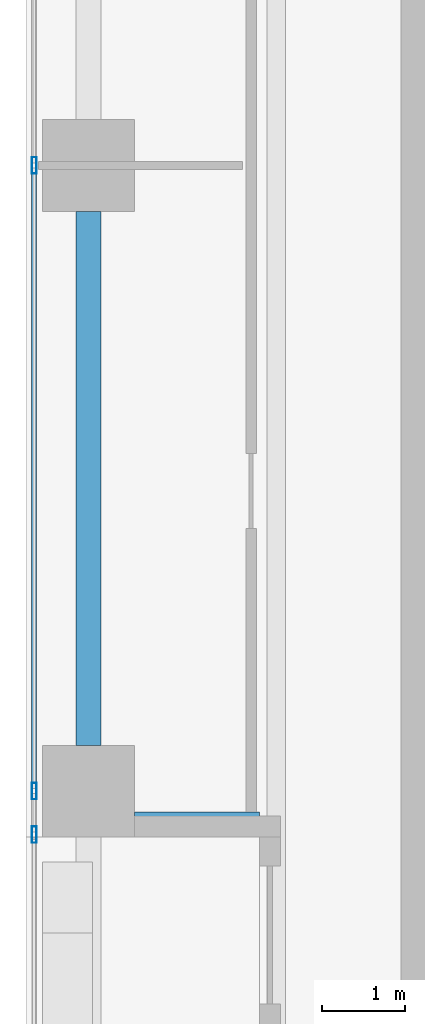
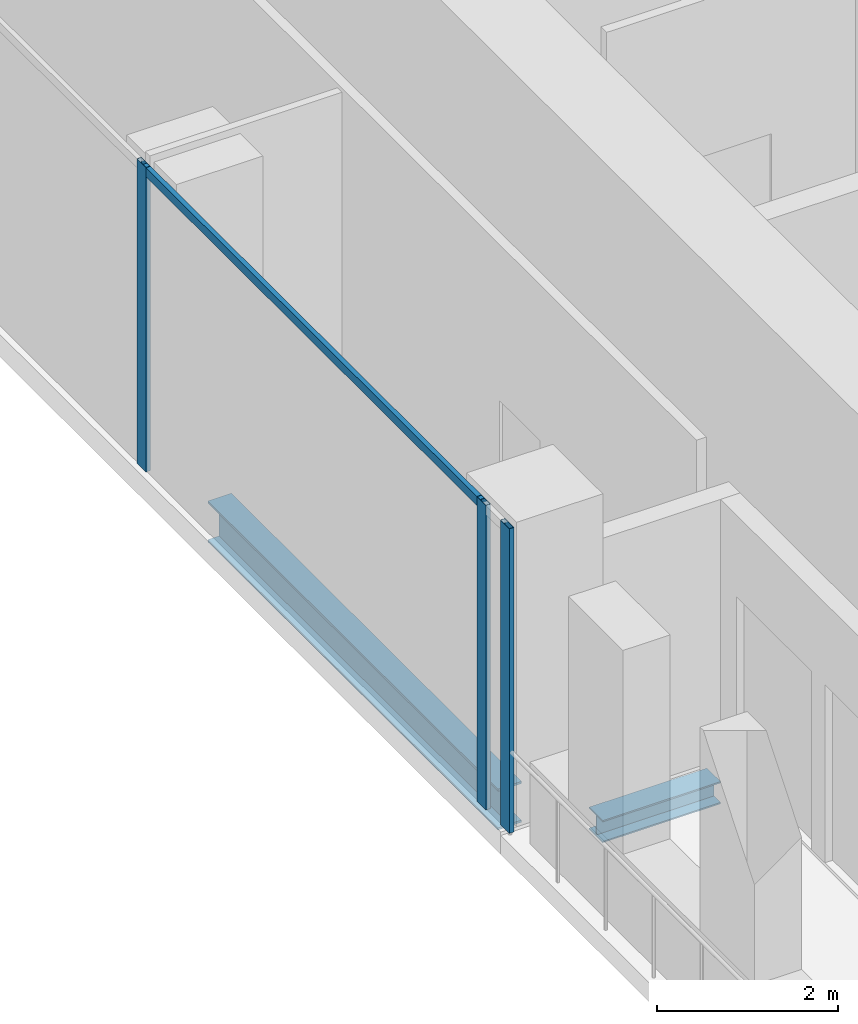
# One storey, part 7 of 35: 4 members, 2 beams, 1 element without a shape of its own.
"""IFC4 building model written with IfcOpenShell, lengths in metres."""

import ifcopenshell
import ifcopenshell.guid

model = None  # the IFC model being written
_history = None  # IfcOwnerHistory: only IFC2X3 demands one
_inside = {}  # id of a spatial element -> (the spatial element, [elements in it])
_under = {}  # id of a project, library or spatial element -> (it, [spatial elements below it])
_declared = {}  # id of a project -> (the project, [libraries it declares])
_typed = {}  # id of a type object -> (the type object, [elements of that type])
_made_of = {}  # id of a material, layer set ... -> (it, [elements and type objects made of it])


def new_model(schema):
    """Start an empty IFC model of exactly this schema.

    Asked for "IFC4X3", IfcOpenShell would pick the latest addendum, in which some entities
    have other attributes; the version numbers below select the first issue.
    IFC2X3 requires an IfcOwnerHistory on every rooted entity: one is made here for all.
    """
    global model, _history
    if schema == "IFC4X3":
        model = ifcopenshell.file(schema_version=(4, 3, 0, 0))
    else:
        model = ifcopenshell.file(schema=schema)
    _inside.clear()
    _under.clear()
    _declared.clear()
    _typed.clear()
    _made_of.clear()
    _history = None
    if model.schema == "IFC2X3":
        org = make("IfcOrganization", Name="unknown")
        user = make(
            "IfcPersonAndOrganization",
            ThePerson=make("IfcPerson", FamilyName="unknown"),
            TheOrganization=org,
        )
        app = make(
            "IfcApplication",
            ApplicationDeveloper=org,
            Version="unknown",
            ApplicationFullName="unknown",
            ApplicationIdentifier="unknown",
        )
        _history = make(
            "IfcOwnerHistory",
            OwningUser=user,
            OwningApplication=app,
            ChangeAction="ADDED",
            CreationDate=0,
        )
    return model


def make(cls, **values):
    """One entity of the class cls with the attributes given. An attribute that is None is left unset."""
    return model.create_entity(
        cls, **{name: value for name, value in values.items() if value is not None}
    )


def rooted(cls, **values):
    """An entity with a GlobalId (a new one), such as an element, a storey or a relation."""
    return make(cls, GlobalId=ifcopenshell.guid.new(), OwnerHistory=_history, **values)


def si_unit(unit_type, name, prefix=None):
    """IfcSIUnit, for example si_unit("LENGTHUNIT", "METRE", prefix="MILLI")."""
    return make("IfcSIUnit", UnitType=unit_type, Prefix=prefix, Name=name)


def assignment(units):
    """IfcUnitAssignment: the units of a project."""
    return None if units is None else make("IfcUnitAssignment", Units=units)


def point(xyz):
    """IfcCartesianPoint."""
    return None if xyz is None else make("IfcCartesianPoint", Coordinates=xyz)


def direction(xyz):
    """IfcDirection."""
    return None if xyz is None else make("IfcDirection", DirectionRatios=xyz)


def frame(location, z_axis=None, x_axis=None):
    """IfcAxis2Placement3D, a coordinate frame: its origin and axes. An axis left out is left unset."""
    return make(
        "IfcAxis2Placement3D",
        Location=point(location),
        Axis=direction(z_axis),
        RefDirection=direction(x_axis),
    )


def frame_2d(location, x_axis=None):
    """IfcAxis2Placement2D, a coordinate frame in the plane: its origin and x axis."""
    return make(
        "IfcAxis2Placement2D", Location=point(location), RefDirection=direction(x_axis)
    )


def origin():
    """The frame at (0, 0, 0) with its axes left unset."""
    return frame((0.0, 0.0, 0.0))


def origin_2d():
    """The frame at (0, 0) in the plane with its x axis left unset."""
    return frame_2d((0.0, 0.0))


def place(relative_to, where):
    """IfcLocalPlacement: puts the frame where relative to a parent placement (None: the world)."""
    return make(
        "IfcLocalPlacement", PlacementRelTo=relative_to, RelativePlacement=where
    )


def context(
    kind, dimensions, precision=None, world=None, true_north=None, identifier=None
):
    """IfcGeometricRepresentationContext, for example the 3D "Model" context."""
    return make(
        "IfcGeometricRepresentationContext",
        ContextIdentifier=identifier,
        ContextType=kind,
        CoordinateSpaceDimension=dimensions,
        Precision=precision,
        WorldCoordinateSystem=world,
        TrueNorth=true_north,
    )


def subcontext(parent, identifier, kind, view, scale=None):
    """IfcGeometricRepresentationSubContext, for example "Body" below "Model"."""
    return make(
        "IfcGeometricRepresentationSubContext",
        ContextIdentifier=identifier,
        ContextType=kind,
        ParentContext=parent,
        TargetScale=scale,
        TargetView=view,
    )


def project(units=None, contexts=None):
    """IfcProject with its units and contexts."""
    return rooted(
        "IfcProject",
        Name="project",
        RepresentationContexts=contexts,
        UnitsInContext=assignment(units),
    )


def spatial(cls, under=None, at=None, **own):
    """A site, building, storey or space (cls), placed at a placement, below another one or the project."""
    s = rooted(cls, ObjectPlacement=at, **own)
    if under is not None:
        _under.setdefault(under.id(), (under, []))[1].append(s)
    return s


def profile(cls, at=None, kind="AREA", **sizes):
    """A parametric profile (cls). Its sizes go by their IFC names, for example OverallWidth=200.0."""
    return make(cls, ProfileType=kind, Position=at, **sizes)


def hollow_rectangle(**sizes):
    """IfcRectangleHollowProfileDef."""
    return profile("IfcRectangleHollowProfileDef", **sizes)


def i_section(**sizes):
    """IfcIShapeProfileDef."""
    return profile("IfcIShapeProfileDef", **sizes)


def extrude(swept, where, along, depth):
    """IfcExtrudedAreaSolid: the profile swept, set in the frame where, extruded along a direction by depth."""
    return make(
        "IfcExtrudedAreaSolid",
        SweptArea=swept,
        Position=where,
        ExtrudedDirection=direction(along),
        Depth=depth,
    )


def shape(context_of_items, identifier, shape_type, items):
    """IfcShapeRepresentation: the items that make up one representation, for example the "Body"."""
    return make(
        "IfcShapeRepresentation",
        ContextOfItems=context_of_items,
        RepresentationIdentifier=identifier,
        RepresentationType=shape_type,
        Items=items,
    )


def source(mapping_origin, context_of_items, identifier, shape_type, items):
    """IfcRepresentationMap: a shape defined once, which mapped items show again and again."""
    return make(
        "IfcRepresentationMap",
        MappingOrigin=mapping_origin,
        MappedRepresentation=shape(context_of_items, identifier, shape_type, items),
    )


def transform(
    local_origin,
    x_axis=None,
    y_axis=None,
    z_axis=None,
    scale=None,
    scale2=None,
    scale3=None,
    uniform=True,
):
    """IfcCartesianTransformationOperator3D, or its non-uniform kind. x_axis, y_axis, z_axis: its Axis1, 2, 3."""
    if uniform:
        return make(
            "IfcCartesianTransformationOperator3D",
            Axis1=direction(x_axis),
            Axis2=direction(y_axis),
            LocalOrigin=point(local_origin),
            Scale=scale,
            Axis3=direction(z_axis),
        )
    return make(
        "IfcCartesianTransformationOperator3DnonUniform",
        Axis1=direction(x_axis),
        Axis2=direction(y_axis),
        LocalOrigin=point(local_origin),
        Scale=scale,
        Axis3=direction(z_axis),
        Scale2=scale2,
        Scale3=scale3,
    )


def mapped(mapping_source, mapping_target):
    """IfcMappedItem: shows the shape of a source again, moved by a transform."""
    return make(
        "IfcMappedItem", MappingSource=mapping_source, MappingTarget=mapping_target
    )


def material(Name=None, Category=None):
    """IfcMaterial."""
    return make("IfcMaterial", Name=Name, Category=Category)


def material_profile(
    of_material, cross_section, Name=None, Category=None, Priority=None
):
    """IfcMaterialProfile: a cross section and its material."""
    return make(
        "IfcMaterialProfile",
        Name=Name,
        Material=of_material,
        Profile=cross_section,
        Priority=Priority,
        Category=Category,
    )


def profile_set(profiles, Name=None, composite=None):
    """IfcMaterialProfileSet."""
    return make(
        "IfcMaterialProfileSet",
        Name=Name,
        MaterialProfiles=profiles,
        CompositeProfile=composite,
    )


def made_of(thing, what):
    """Note that an element or type object is made of a material, layer set ...; save() writes the relation."""
    if what is not None:
        _made_of.setdefault(what.id(), (what, []))[1].append(thing)
    return thing


def type_object(cls, material=None, **own):
    """A type object (cls), such as IfcWallType, which elements share."""
    return made_of(rooted(cls, **own), material)


def element(
    cls,
    number,
    at=None,
    inside=None,
    cuts=None,
    type_object=None,
    material=None,
    context=None,
    identifier="Body",
    shape_type=None,
    held_by="IfcProductDefinitionShape",
    body=None,
    shapes=None,
    **own,
):
    """One element of the class cls, such as IfcWall. Its Tag is "e" and its number.

    at: its placement. inside: the storey or other place that contains it. cuts: it is an
    opening in that element (IfcRelVoidsElement). A single representation is given by context,
    identifier, shape_type and body (its items); several are given by shapes. held_by: the class
    of the entity that holds the representations. save() writes the other relations.
    """
    e = rooted(cls, Tag="e%d" % number, ObjectPlacement=at, **own)
    if body is not None:
        shapes = [shape(context, identifier, shape_type, body)]
    if shapes is not None:
        e.Representation = make(held_by, Representations=shapes)
    if inside is not None:
        _inside.setdefault(inside.id(), (inside, []))[1].append(e)
    if cuts is not None:
        rooted(
            "IfcRelVoidsElement", RelatingBuildingElement=cuts, RelatedOpeningElement=e
        )
    if type_object is not None:
        _typed.setdefault(type_object.id(), (type_object, []))[1].append(e)
    return made_of(e, material)


def aggregate(whole, parts):
    """IfcRelAggregates: a whole, such as a stair, and the parts it consists of."""
    return rooted("IfcRelAggregates", RelatingObject=whole, RelatedObjects=parts)


def save(model, path):
    """Write the relations noted so far, then the file.

    IfcRelAggregates (storeys below a building ...), IfcRelContainedInSpatialStructure (elements
    in a storey), IfcRelDefinesByType, IfcRelAssociatesMaterial and IfcRelDeclares: one each for
    every whole, place, type object, material and project.
    """
    for whole, parts in _under.values():
        aggregate(whole, parts)
    for where, things in _inside.values():
        rooted(
            "IfcRelContainedInSpatialStructure",
            RelatedElements=things,
            RelatingStructure=where,
        )
    for kind, things in _typed.values():
        rooted("IfcRelDefinesByType", RelatedObjects=things, RelatingType=kind)
    for what, things in _made_of.values():
        rooted("IfcRelAssociatesMaterial", RelatedObjects=things, RelatingMaterial=what)
    for by, libraries in _declared.values():
        rooted("IfcRelDeclares", RelatingContext=by, RelatedDefinitions=libraries)
    model.write(path)


model = new_model("IFC4")

# Units and contexts
model_context = context("Model", 3, precision=1e-05, world=origin(), true_north=direction((0.0, 1.0)))
body_context = subcontext(model_context, "Body", "Model", "MODEL_VIEW")
ifc_project = project(units=[si_unit("LENGTHUNIT", "METRE"), si_unit("AREAUNIT", "SQUARE_METRE"), si_unit("VOLUMEUNIT", "CUBIC_METRE"), si_unit("PLANEANGLEUNIT", "RADIAN"), si_unit("MASSUNIT", "GRAM", prefix="KILO")], contexts=[model_context])

# Site, building, storey
site_placement = place(None, origin())
site = spatial("IfcSite", under=ifc_project, at=site_placement, CompositionType="ELEMENT")
building_placement = place(site_placement, origin())
building = spatial("IfcBuilding", under=site, at=building_placement, Name="Khomas Fold Tower", CompositionType="ELEMENT")
storey_placement = place(building_placement, frame((0.0, 0.0, 119.10009765625)))
storey = spatial("IfcBuildingStorey", under=building, at=storey_placement, Name="L25", CompositionType="ELEMENT", Elevation=119.10009765625)

# Beams
ifc_material_1 = material(Name="Steel S355", Category="steel")
ifc_material_profile_1 = material_profile(ifc_material_1, i_section(OverallWidth=0.300048828125, OverallDepth=0.550048828125, WebThickness=0.014892578125, FlangeThickness=0.029052734375, at=origin_2d()), Name="HE 550 B")
ifc_profile_set_1 = profile_set([ifc_material_profile_1], Name="Steel S355")
beam_type_1 = type_object("IfcBeamType", Name="HE 550 B spandrel SB2", PredefinedType="SPANDREL", material=ifc_profile_set_1)
shared_shape_1 = source(origin(), body_context, "Body", "SweptSolid", [
    extrude(i_section(OverallWidth=0.300048828125, OverallDepth=0.550048828125, WebThickness=0.014892578125, FlangeThickness=0.029052734375, at=origin_2d()), origin(), (0.0, 0.0, 1.0), 6.39990234375),
])
beam_1_placement = place(storey_placement, frame((2.25, 20.050048828125, -0.5751953125), z_axis=(0.0, 1.0, 0.0), x_axis=(-1.0, 0.0, 0.0)))
element("IfcBeam", 1, at=beam_1_placement, inside=storey, type_object=beam_type_1, Name="SB2", PredefinedType="SPANDREL", context=body_context, shape_type="MappedRepresentation", body=[
    mapped(shared_shape_1, transform((0.0, 0.0, 0.0))),
])
ifc_material_2 = material(Name="Steel S355", Category="steel")
ifc_material_profile_2 = material_profile(ifc_material_2, i_section(OverallWidth=0.300048828125, OverallDepth=0.300048828125, WebThickness=0.010986328125, FlangeThickness=0.01904296875, at=origin_2d()), Name="HE 300 B")
ifc_profile_set_2 = profile_set([ifc_material_profile_2], Name="Steel S355")
beam_type_2 = type_object("IfcBeamType", Name="HE 300 B beam BB1", PredefinedType="BEAM", material=ifc_profile_set_2)
shared_shape_2 = source(origin(), body_context, "Body", "SweptSolid", [
    extrude(i_section(OverallWidth=0.300048828125, OverallDepth=0.300048828125, WebThickness=0.010986328125, FlangeThickness=0.01904296875, at=origin_2d()), origin(), (0.0, 0.0, 1.0), 1.5),
])
beam_2_placement = place(storey_placement, frame((2.800048828125, 19.10009765625, -0.4501953125), z_axis=(1.0, 0.0, 0.0), x_axis=(0.0, 1.0, 0.0)))
element("IfcBeam", 2, at=beam_2_placement, inside=storey, type_object=beam_type_2, Name="BB1", PredefinedType="BEAM", context=body_context, shape_type="MappedRepresentation", body=[
    mapped(shared_shape_2, transform((0.0, 0.0, 0.0))),
])

# Curtain wall, members
ifc_material_3 = material(Name="Aluminium framed double glazing", Category="aluminium")
curtain_wall_type = type_object("IfcCurtainWallType", Name="SK-Unitised clear-glass wall, growing floors CW1", PredefinedType="NOTDEFINED", material=ifc_material_3)
curtain_wall_placement = place(storey_placement, origin())
curtain_wall = element("IfcCurtainWall", 3, at=curtain_wall_placement, inside=storey, type_object=curtain_wall_type, Name="CW1 run L25 09-0", PredefinedType="NOTDEFINED")
ifc_material_4 = material(Name="Aluminium", Category="aluminium")
ifc_material_profile_3 = material_profile(ifc_material_4, hollow_rectangle(XDim=0.06005859375, YDim=0.1201171875, WallThickness=0.00390625, at=origin_2d()), Name="SK-Unitised clear-glass wall, growing floors transom CW1-T")
ifc_profile_set_3 = profile_set([ifc_material_profile_3], Name="Aluminium")
member_type_1 = type_object("IfcMemberType", Name="SK-Unitised clear-glass wall, growing floors transom CW1-T", PredefinedType="USERDEFINED", material=ifc_profile_set_3)
shared_shape_3 = source(origin(), body_context, "Body", "SweptSolid", [
    extrude(hollow_rectangle(XDim=0.06005859375, YDim=0.1201171875, WallThickness=0.00390625, at=origin_2d()), origin(), (0.0, 0.0, 1.0), 7.43994140625),
])
member_1_placement = place(storey_placement, frame((1.60009765625, 26.969970703125, 4.039794921875), z_axis=(0.0, -1.0, 0.0), x_axis=(1.0, 0.0, 0.0)))
member_1 = element("IfcMember", 4, at=member_1_placement, type_object=member_type_1, Name="CW1 transom 5", ObjectType="TRANSOM", PredefinedType="USERDEFINED", context=body_context, shape_type="MappedRepresentation", body=[
    mapped(shared_shape_3, transform((0.0, 0.0, 0.0))),
])
ifc_material_5 = material(Name="Aluminium", Category="aluminium")
ifc_material_profile_4 = material_profile(ifc_material_5, hollow_rectangle(XDim=0.06005859375, YDim=0.199951171875, WallThickness=0.00390625, at=origin_2d()), Name="SK-Unitised clear-glass wall, growing floors mullion CW1-M")
ifc_profile_set_4 = profile_set([ifc_material_profile_4], Name="Aluminium")
member_type_2 = type_object("IfcMemberType", Name="SK-Unitised clear-glass wall, growing floors mullion CW1-M", PredefinedType="MULLION", material=ifc_profile_set_4)
shared_shape_4 = source(origin(), body_context, "Body", "SweptSolid", [
    extrude(hollow_rectangle(XDim=0.06005859375, YDim=0.199951171875, WallThickness=0.00390625, at=origin_2d()), origin(), (0.0, 0.0, 1.0), 4.099853515625),
])
member_2_placement = place(storey_placement, frame((1.60009765625, 27.0, 0.0), z_axis=(0.0, 0.0, 1.0), x_axis=(1.0, 0.0, 0.0)))
member_2 = element("IfcMember", 5, at=member_2_placement, type_object=member_type_2, Name="CW1 mullion 5", PredefinedType="MULLION", context=body_context, shape_type="MappedRepresentation", body=[
    mapped(shared_shape_4, transform((0.0, 0.0, 0.0))),
])
member_3_placement = place(storey_placement, frame((1.60009765625, 19.5, 0.0), z_axis=(0.0, 0.0, 1.0), x_axis=(1.0, 0.0, 0.0)))
member_3 = element("IfcMember", 6, at=member_3_placement, type_object=member_type_2, Name="CW1 mullion 6", PredefinedType="MULLION", context=body_context, shape_type="MappedRepresentation", body=[
    mapped(shared_shape_4, transform((0.0, 0.0, 0.0))),
])
member_4_placement = place(storey_placement, frame((1.60009765625, 18.97998046875, 0.0), z_axis=(0.0, 0.0, 1.0), x_axis=(1.0, 0.0, 0.0)))
member_4 = element("IfcMember", 7, at=member_4_placement, type_object=member_type_2, Name="CW1 mullion 7", PredefinedType="MULLION", context=body_context, shape_type="MappedRepresentation", body=[
    mapped(shared_shape_4, transform((0.0, 0.0, 0.0))),
])
aggregate(curtain_wall, [member_2, member_3, member_4, member_1])

save(model, "model.ifc")
